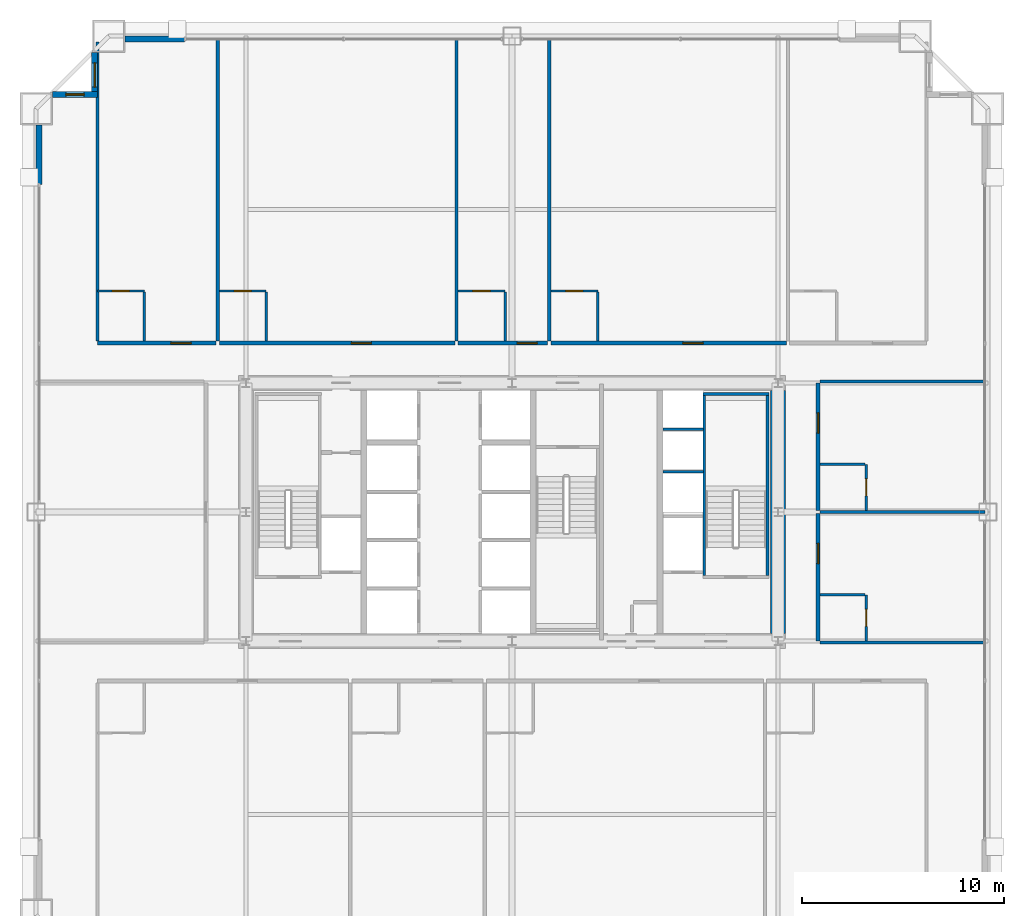
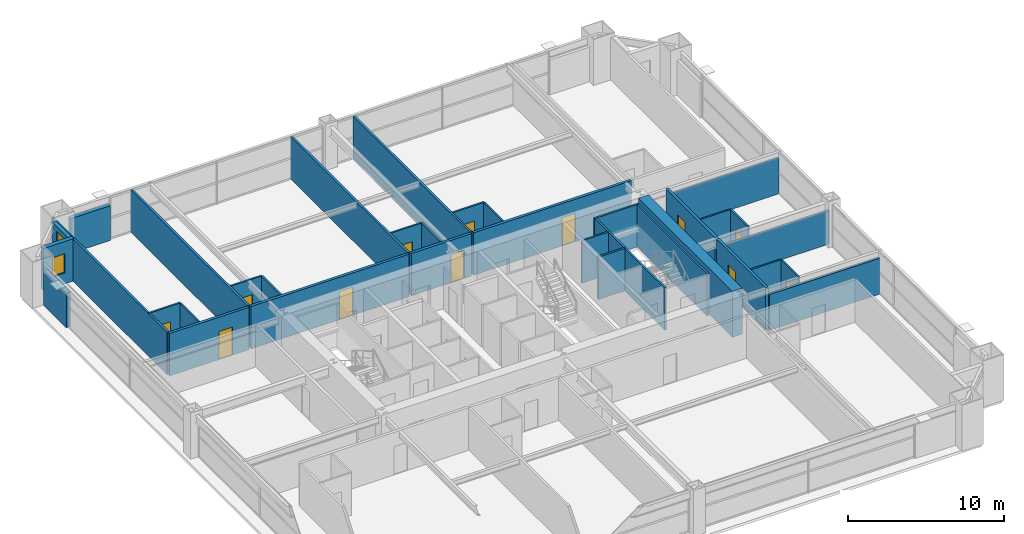
# One storey, part 36 of 38: 35 walls, 12 doors, 2 windows, 14 openings.
"""IFC4 building model written with IfcOpenShell, lengths in metres."""

from ifc_helpers import new_model, si_unit, direction, frame, frame_2d, origin, place, context, subcontext, project, spatial, rectangle, extrude, source, transform, mapped, material, layer, layer_set, type_object, element, fill, save


model = new_model("IFC4")

# Units and contexts
model_context = context("Model", 3, precision=1e-05, world=origin(), true_north=direction((0.0, 1.0)))
body_context = subcontext(model_context, "Body", "Model", "MODEL_VIEW")
ifc_project = project(units=[si_unit("LENGTHUNIT", "METRE"), si_unit("AREAUNIT", "SQUARE_METRE"), si_unit("VOLUMEUNIT", "CUBIC_METRE"), si_unit("PLANEANGLEUNIT", "RADIAN"), si_unit("MASSUNIT", "GRAM", prefix="KILO"), si_unit("THERMODYNAMICTEMPERATUREUNIT", "KELVIN"), si_unit("POWERUNIT", "WATT")], contexts=[model_context])

# Site, building, storey
site_placement = place(None, origin())
site = spatial("IfcSite", under=ifc_project, at=site_placement, CompositionType="ELEMENT")
building_placement = place(site_placement, origin())
building = spatial("IfcBuilding", under=site, at=building_placement, Name="Yuzanri Waterfront Tower", CompositionType="ELEMENT")
storey_placement = place(building_placement, frame((0.0, 0.0, 126.199951171875)))
storey = spatial("IfcBuildingStorey", under=building, at=storey_placement, Name="L33", CompositionType="ELEMENT", Elevation=126.199951171875)

# Wall, opening, door
ifc_material_1 = material(Name="Moisture-Resistant Gypsum Stud Wall", Category="gypsum")
ifc_layer_1 = layer(ifc_material_1, 0.1201171875)
ifc_layer_set_1 = layer_set([ifc_layer_1], Name="Moisture-Resistant Gypsum Stud Wall")
wall_type_1 = type_object("IfcWallType", Name="Bathroom and Kitchen Wet Partition 120", PredefinedType="PARTITIONING", material=ifc_layer_set_1)
wall_1_placement = place(storey_placement, frame((16.43994140625, 36.760009765625, 0.0), z_axis=(0.0, 0.0, 1.0), x_axis=(1.0, 0.0, 0.0)))
wall_1 = element("IfcWall", 1, at=wall_1_placement, inside=storey, type_object=wall_type_1, Name="L33 Partition UW-L33-N1-BN", PredefinedType="PARTITIONING", context=body_context, shape_type="SweptSolid", body=[
    extrude(rectangle(XDim=2.330078125, YDim=0.1201171875, at=frame_2d((1.1650390625, 0.0))), origin(), (0.0, 0.0, 1.0), 3.320068359375),
])
opening_1_placement = place(wall_1_placement, frame((0.739990234375, 0.0, 0.0)))
opening_1 = element("IfcOpeningElement", 2, at=opening_1_placement, cuts=wall_1, Name="Opening ID-0850", PredefinedType="OPENING", context=body_context, shape_type="SweptSolid", body=[
    extrude(rectangle(XDim=0.85009765625, YDim=2.10009765625, at=frame_2d((0.425048828125, 1.050048828125))), frame((0.0, 0.074951171875, 0.0), z_axis=(0.0, -1.0, 0.0), x_axis=(1.0, 0.0, 0.0)), (0.0, 0.0, 1.0), 0.14990234375),
])
ifc_material_2 = material(Name="Moisture-Resistant Lacquered Timber", Category="wood")
door_type_1 = type_object("IfcDoorType", Name="En-Suite Bathroom and Kitchen Swing Door 850x2100", OperationType="NOTDEFINED", PredefinedType="DOOR", material=ifc_material_2)
shared_shape_1 = source(origin(), body_context, "Body", "SweptSolid", [
    extrude(rectangle(XDim=0.85009765625, YDim=2.10009765625, at=frame_2d((0.425048828125, 1.050048828125))), frame((0.0, 0.02490234375, 0.0), z_axis=(0.0, -1.0, 0.0), x_axis=(1.0, 0.0, 0.0)), (0.0, 0.0, 1.0), 0.050048828125),
])
door_1_placement = place(opening_1_placement, origin())
door_1 = element("IfcDoor", 3, at=door_1_placement, inside=storey, type_object=door_type_1, Name="L33 Guest En-Suite Door", OperationType="SINGLE_SWING_LEFT", OverallHeight=2.10009765625, OverallWidth=0.85009765625, PredefinedType="DOOR", context=body_context, shape_type="MappedRepresentation", body=[
    mapped(shared_shape_1, transform((0.0, 0.0, 0.0), scale=1.0)),
])
fill(opening_1, door_1)

wall_2_placement = place(storey_placement, frame((22.48193359375, 36.760009765625, 0.0), z_axis=(0.0, 0.0, 1.0), x_axis=(1.0, 0.0, 0.0)))
wall_2 = element("IfcWall", 4, at=wall_2_placement, inside=storey, type_object=wall_type_1, Name="L33 Partition UW-L33-N2-BN", PredefinedType="PARTITIONING", context=body_context, shape_type="SweptSolid", body=[
    extrude(rectangle(XDim=2.330078125, YDim=0.1201171875, at=frame_2d((1.1650390625, 0.0))), origin(), (0.0, 0.0, 1.0), 3.320068359375),
])
opening_2_placement = place(wall_2_placement, frame((0.739990234375, 0.0, 0.0)))
opening_2 = element("IfcOpeningElement", 5, at=opening_2_placement, cuts=wall_2, Name="Opening ID-0850", PredefinedType="OPENING", context=body_context, shape_type="SweptSolid", body=[
    extrude(rectangle(XDim=0.85009765625, YDim=2.10009765625, at=frame_2d((0.425048828125, 1.050048828125))), frame((0.0, 0.074951171875, 0.0), z_axis=(0.0, -1.0, 0.0), x_axis=(1.0, 0.0, 0.0)), (0.0, 0.0, 1.0), 0.14990234375),
])
door_2_placement = place(opening_2_placement, origin())
door_2 = element("IfcDoor", 6, at=door_2_placement, inside=storey, type_object=door_type_1, Name="L33 Guest En-Suite Door", OperationType="SINGLE_SWING_LEFT", OverallHeight=2.10009765625, OverallWidth=0.85009765625, PredefinedType="DOOR", context=body_context, shape_type="MappedRepresentation", body=[
    mapped(shared_shape_1, transform((0.0, 0.0, 0.0), scale=1.0)),
])
fill(opening_2, door_2)

wall_3_placement = place(storey_placement, frame((34.324951171875, 36.760009765625, 0.0), z_axis=(0.0, 0.0, 1.0), x_axis=(1.0, 0.0, 0.0)))
wall_3 = element("IfcWall", 7, at=wall_3_placement, inside=storey, type_object=wall_type_1, Name="L33 Partition UW-L33-N3-BN", PredefinedType="PARTITIONING", context=body_context, shape_type="SweptSolid", body=[
    extrude(rectangle(XDim=2.330078125, YDim=0.1201171875, at=frame_2d((1.1650390625, 0.0))), origin(), (0.0, 0.0, 1.0), 3.320068359375),
])
opening_3_placement = place(wall_3_placement, frame((0.739990234375, 0.0, 0.0)))
opening_3 = element("IfcOpeningElement", 8, at=opening_3_placement, cuts=wall_3, Name="Opening ID-0850", PredefinedType="OPENING", context=body_context, shape_type="SweptSolid", body=[
    extrude(rectangle(XDim=0.85009765625, YDim=2.10009765625, at=frame_2d((0.425048828125, 1.050048828125))), frame((0.0, 0.074951171875, 0.0), z_axis=(0.0, -1.0, 0.0), x_axis=(1.0, 0.0, 0.0)), (0.0, 0.0, 1.0), 0.14990234375),
])
door_3_placement = place(opening_3_placement, origin())
door_3 = element("IfcDoor", 9, at=door_3_placement, inside=storey, type_object=door_type_1, Name="L33 Guest En-Suite Door", OperationType="SINGLE_SWING_LEFT", OverallHeight=2.10009765625, OverallWidth=0.85009765625, PredefinedType="DOOR", context=body_context, shape_type="MappedRepresentation", body=[
    mapped(shared_shape_1, transform((0.0, 0.0, 0.0), scale=1.0)),
])
fill(opening_3, door_3)

wall_4_placement = place(storey_placement, frame((38.929931640625, 36.760009765625, 0.0), z_axis=(0.0, 0.0, 1.0), x_axis=(1.0, 0.0, 0.0)))
wall_4 = element("IfcWall", 10, at=wall_4_placement, inside=storey, type_object=wall_type_1, Name="L33 Partition UW-L33-N4-BN", PredefinedType="PARTITIONING", context=body_context, shape_type="SweptSolid", body=[
    extrude(rectangle(XDim=2.330078125, YDim=0.1201171875, at=frame_2d((1.1650390625, 0.0))), origin(), (0.0, 0.0, 1.0), 3.320068359375),
])
opening_4_placement = place(wall_4_placement, frame((0.739990234375, 0.0, 0.0)))
opening_4 = element("IfcOpeningElement", 11, at=opening_4_placement, cuts=wall_4, Name="Opening ID-0850", PredefinedType="OPENING", context=body_context, shape_type="SweptSolid", body=[
    extrude(rectangle(XDim=0.85009765625, YDim=2.10009765625, at=frame_2d((0.425048828125, 1.050048828125))), frame((0.0, 0.074951171875, 0.0), z_axis=(0.0, -1.0, 0.0), x_axis=(1.0, 0.0, 0.0)), (0.0, 0.0, 1.0), 0.14990234375),
])
door_4_placement = place(opening_4_placement, origin())
door_4 = element("IfcDoor", 12, at=door_4_placement, inside=storey, type_object=door_type_1, Name="L33 Guest En-Suite Door", OperationType="SINGLE_SWING_LEFT", OverallHeight=2.10009765625, OverallWidth=0.85009765625, PredefinedType="DOOR", context=body_context, shape_type="MappedRepresentation", body=[
    mapped(shared_shape_1, transform((0.0, 0.0, 0.0), scale=1.0)),
])
fill(opening_4, door_4)

wall_5_placement = place(storey_placement, frame((54.56005859375, 19.409912109375, 0.0), z_axis=(0.0, 0.0, 1.0), x_axis=(0.0, 1.0, 0.0)))
wall_5 = element("IfcWall", 13, at=wall_5_placement, inside=storey, type_object=wall_type_1, Name="L33 Partition UW-L33-E1-BE2", PredefinedType="PARTITIONING", context=body_context, shape_type="SweptSolid", body=[
    extrude(rectangle(XDim=2.280029296875, YDim=0.1201171875, at=frame_2d((1.14013671875, 0.0))), origin(), (0.0, 0.0, 1.0), 3.320068359375),
])
opening_5_placement = place(wall_5_placement, frame((0.715087890625, 0.0, 0.0)))
opening_5 = element("IfcOpeningElement", 14, at=opening_5_placement, cuts=wall_5, Name="Opening ID-0850", PredefinedType="OPENING", context=body_context, shape_type="SweptSolid", body=[
    extrude(rectangle(XDim=0.85009765625, YDim=2.10009765625, at=frame_2d((0.425048828125, 1.050048828125))), frame((0.0, 0.074951171875, 0.0), z_axis=(0.0, -1.0, 0.0), x_axis=(1.0, 0.0, 0.0)), (0.0, 0.0, 1.0), 0.14990234375),
])
door_5_placement = place(opening_5_placement, origin())
door_5 = element("IfcDoor", 15, at=door_5_placement, inside=storey, type_object=door_type_1, Name="L33 Guest En-Suite Door", OperationType="SINGLE_SWING_RIGHT", OverallHeight=2.10009765625, OverallWidth=0.85009765625, PredefinedType="DOOR", context=body_context, shape_type="MappedRepresentation", body=[
    mapped(shared_shape_1, transform((0.0, 0.0, 0.0), scale=1.0)),
])
fill(opening_5, door_5)

wall_6_placement = place(storey_placement, frame((54.56005859375, 25.8798828125, 0.0), z_axis=(0.0, 0.0, 1.0), x_axis=(0.0, 1.0, 0.0)))
wall_6 = element("IfcWall", 16, at=wall_6_placement, inside=storey, type_object=wall_type_1, Name="L33 Partition UW-L33-E2-BE2", PredefinedType="PARTITIONING", context=body_context, shape_type="SweptSolid", body=[
    extrude(rectangle(XDim=2.280029296875, YDim=0.1201171875, at=frame_2d((1.14013671875, 0.0))), origin(), (0.0, 0.0, 1.0), 3.320068359375),
])
opening_6_placement = place(wall_6_placement, frame((0.715087890625, 0.0, 0.0)))
opening_6 = element("IfcOpeningElement", 17, at=opening_6_placement, cuts=wall_6, Name="Opening ID-0850", PredefinedType="OPENING", context=body_context, shape_type="SweptSolid", body=[
    extrude(rectangle(XDim=0.85009765625, YDim=2.10009765625, at=frame_2d((0.425048828125, 1.050048828125))), frame((0.0, 0.074951171875, 0.0), z_axis=(0.0, -1.0, 0.0), x_axis=(1.0, 0.0, 0.0)), (0.0, 0.0, 1.0), 0.14990234375),
])
door_6_placement = place(opening_6_placement, origin())
door_6 = element("IfcDoor", 18, at=door_6_placement, inside=storey, type_object=door_type_1, Name="L33 Guest En-Suite Door", OperationType="SINGLE_SWING_RIGHT", OverallHeight=2.10009765625, OverallWidth=0.85009765625, PredefinedType="DOOR", context=body_context, shape_type="MappedRepresentation", body=[
    mapped(shared_shape_1, transform((0.0, 0.0, 0.0), scale=1.0)),
])
fill(opening_6, door_6)

# Wall, opening, window
ifc_material_3 = material(Name="Honed Chongqing Dark Basalt Stone", Category="masonry")
ifc_layer_2 = layer(ifc_material_3, 0.300048828125)
ifc_layer_set_2 = layer_set([ifc_layer_2], Name="Honed Chongqing Dark Basalt Stone")
wall_type_2 = type_object("IfcWallType", Name="Bronze Rainscreen Insulated Spandrel Portal Wall 300", PredefinedType="SOLIDWALL", material=ifc_layer_set_2)
wall_7_placement = place(storey_placement, frame((16.449951171875, 46.5, 0.0), z_axis=(0.0, 0.0, 1.0), x_axis=(-1.0, 0.0, 0.0)))
wall_7 = element("IfcWall", 19, at=wall_7_placement, inside=storey, type_object=wall_type_2, Name="L33 Notched Corner Masonry Wall NW-X", PredefinedType="SOLIDWALL", context=body_context, shape_type="SweptSolid", body=[
    extrude(rectangle(XDim=2.25, YDim=0.300048828125, at=frame_2d((1.125, 0.0))), origin(), (0.0, 0.0, 1.0), 3.320068359375),
])
opening_7_placement = place(wall_7_placement, frame((0.675048828125, 0.0, 0.85009765625)))
opening_7 = element("IfcOpeningElement", 20, at=opening_7_placement, cuts=wall_7, Name="Opening WN-05", PredefinedType="OPENING", context=body_context, shape_type="SweptSolid", body=[
    extrude(rectangle(XDim=0.89990234375, YDim=1.5, at=frame_2d((0.449951171875, 0.75))), frame((0.0, 0.1650390625, 0.0), z_axis=(0.0, -1.0, 0.0), x_axis=(1.0, 0.0, 0.0)), (0.0, 0.0, 1.0), 0.329833984375),
])
ifc_material_4 = material(Name="Double-Silver Low-E Insulated Glass", Category="glass")
window_type_1 = type_object("IfcWindowType", Name="Anodized Bronze Service and Stairwell Smoke-Vent Window 900x1500", PartitioningType="SINGLE_PANEL", PredefinedType="WINDOW", material=ifc_material_4)
shared_shape_2 = source(origin(), body_context, "Body", "SweptSolid", [
    extrude(rectangle(XDim=0.89990234375, YDim=1.5, at=frame_2d((0.449951171875, 0.75))), frame((0.0, 0.030029296875, 0.0), z_axis=(0.0, -1.0, 0.0), x_axis=(1.0, 0.0, 0.0)), (0.0, 0.0, 1.0), 0.06005859375),
])
window_1_placement = place(opening_7_placement, origin())
window_1 = element("IfcWindow", 21, at=window_1_placement, inside=storey, type_object=window_type_1, Name="L33 Notched Corner Window NW-X", OverallHeight=1.5, OverallWidth=0.89990234375, PartitioningType="SINGLE_PANEL", PredefinedType="WINDOW", context=body_context, shape_type="MappedRepresentation", body=[
    mapped(shared_shape_2, transform((0.0, 0.0, 0.0), scale=1.0)),
])
fill(opening_7, window_1)

wall_8_placement = place(storey_placement, frame((16.300048828125, 48.60009765625, 0.0), z_axis=(0.0, 0.0, 1.0), x_axis=(0.0, -1.0, 0.0)))
wall_8 = element("IfcWall", 22, at=wall_8_placement, inside=storey, type_object=wall_type_2, Name="L33 Notched Corner Masonry Wall NW-Y", PredefinedType="SOLIDWALL", context=body_context, shape_type="SweptSolid", body=[
    extrude(rectangle(XDim=2.25, YDim=0.300048828125, at=frame_2d((1.125, 0.0))), origin(), (0.0, 0.0, 1.0), 3.320068359375),
])
opening_8_placement = place(wall_8_placement, frame((0.52490234375, 0.0, 0.85009765625)))
opening_8 = element("IfcOpeningElement", 23, at=opening_8_placement, cuts=wall_8, Name="Opening WN-02", PredefinedType="OPENING", context=body_context, shape_type="SweptSolid", body=[
    extrude(rectangle(XDim=1.199951171875, YDim=2.10009765625, at=frame_2d((0.60009765625, 1.050048828125))), frame((0.0, 0.1650390625, 0.0), z_axis=(0.0, -1.0, 0.0), x_axis=(1.0, 0.0, 0.0)), (0.0, 0.0, 1.0), 0.329833984375),
])
ifc_material_5 = material(Name="Double-Silver Low-E Insulated Glass", Category="glass")
window_type_2 = type_object("IfcWindowType", Name="Anodized Bronze Notched Corner Deep-Set Slot Window 1200x2100", PartitioningType="SINGLE_PANEL", PredefinedType="WINDOW", material=ifc_material_5)
shared_shape_3 = source(origin(), body_context, "Body", "SweptSolid", [
    extrude(rectangle(XDim=1.199951171875, YDim=2.10009765625, at=frame_2d((0.60009765625, 1.050048828125))), frame((0.0, 0.030029296875, 0.0), z_axis=(0.0, -1.0, 0.0), x_axis=(1.0, 0.0, 0.0)), (0.0, 0.0, 1.0), 0.06005859375),
])
window_2_placement = place(opening_8_placement, origin())
window_2 = element("IfcWindow", 24, at=window_2_placement, inside=storey, type_object=window_type_2, Name="L33 Notched Corner Window NW-Y", OverallHeight=2.10009765625, OverallWidth=1.199951171875, PartitioningType="SINGLE_PANEL", PredefinedType="WINDOW", context=body_context, shape_type="MappedRepresentation", body=[
    mapped(shared_shape_3, transform((0.0, 0.0, 0.0), scale=1.0)),
])
fill(opening_8, window_2)

# Wall, opening, door
ifc_material_6 = material(Name="Autoclaved Aerated Concrete Blockwork", Category="masonry")
ifc_layer_3 = layer(ifc_material_6, 0.199951171875)
ifc_layer_set_3 = layer_set([ifc_layer_3], Name="Autoclaved Aerated Concrete Blockwork")
wall_type_3 = type_object("IfcWallType", Name="Corridor and Unit Party Fire Wall 200", PredefinedType="PARTITIONING", material=ifc_layer_set_3)
wall_9_placement = place(storey_placement, frame((16.43994140625, 34.179931640625, 0.0), z_axis=(0.0, 0.0, 1.0), x_axis=(1.0, 0.0, 0.0)))
wall_9 = element("IfcWall", 25, at=wall_9_placement, inside=storey, type_object=wall_type_3, Name="L33 Partition UW-L33-N1-CS", PredefinedType="PARTITIONING", context=body_context, shape_type="SweptSolid", body=[
    extrude(rectangle(XDim=5.882080078125, YDim=0.199951171875, at=frame_2d((2.94091796875, 0.0))), origin(), (0.0, 0.0, 1.0), 3.320068359375),
])
opening_9_placement = place(wall_9_placement, frame((3.64599609375, 0.0, 0.0)))
opening_9 = element("IfcOpeningElement", 26, at=opening_9_placement, cuts=wall_9, Name="Opening FD-1000", PredefinedType="OPENING", context=body_context, shape_type="SweptSolid", body=[
    extrude(rectangle(XDim=1.0, YDim=2.199951171875, at=frame_2d((0.5, 1.10009765625))), frame((0.0, 0.11474609375, 0.0), z_axis=(0.0, -1.0, 0.0), x_axis=(1.0, 0.0, 0.0)), (0.0, 0.0, 1.0), 0.229736328125),
])
ifc_material_7 = material(Name="Engineered Oak Fire-Rated Timber", Category="wood")
door_type_2 = type_object("IfcDoorType", Name="Guestroom and Apartment Entrance Fire Door 1000x2200", OperationType="NOTDEFINED", PredefinedType="DOOR", material=ifc_material_7)
shared_shape_4 = source(origin(), body_context, "Body", "SweptSolid", [
    extrude(rectangle(XDim=1.0, YDim=2.199951171875, at=frame_2d((0.5, 1.10009765625))), frame((0.0, 0.02490234375, 0.0), z_axis=(0.0, -1.0, 0.0), x_axis=(1.0, 0.0, 0.0)), (0.0, 0.0, 1.0), 0.050048828125),
])
door_7_placement = place(opening_9_placement, origin())
door_7 = element("IfcDoor", 27, at=door_7_placement, inside=storey, type_object=door_type_2, Name="L33 Superior Twin Junior Suite Entrance Door", OperationType="SINGLE_SWING_RIGHT", OverallHeight=2.199951171875, OverallWidth=1.0, PredefinedType="DOOR", context=body_context, shape_type="MappedRepresentation", body=[
    mapped(shared_shape_4, transform((0.0, 0.0, 0.0), scale=1.0)),
])
fill(opening_9, door_7)

wall_10_placement = place(storey_placement, frame((22.48193359375, 34.179931640625, 0.0), z_axis=(0.0, 0.0, 1.0), x_axis=(1.0, 0.0, 0.0)))
wall_10 = element("IfcWall", 28, at=wall_10_placement, inside=storey, type_object=wall_type_3, Name="L33 Partition UW-L33-N2-CS", PredefinedType="PARTITIONING", context=body_context, shape_type="SweptSolid", body=[
    extrude(rectangle(XDim=11.68310546875, YDim=0.199951171875, at=frame_2d((5.841552734375, 0.0))), origin(), (0.0, 0.0, 1.0), 3.320068359375),
])
opening_10_placement = place(wall_10_placement, frame((6.547119140625, 0.0, 0.0)))
opening_10 = element("IfcOpeningElement", 29, at=opening_10_placement, cuts=wall_10, Name="Opening FD-1000", PredefinedType="OPENING", context=body_context, shape_type="SweptSolid", body=[
    extrude(rectangle(XDim=1.0, YDim=2.199951171875, at=frame_2d((0.5, 1.10009765625))), frame((0.0, 0.11474609375, 0.0), z_axis=(0.0, -1.0, 0.0), x_axis=(1.0, 0.0, 0.0)), (0.0, 0.0, 1.0), 0.229736328125),
])
door_8_placement = place(opening_10_placement, origin())
door_8 = element("IfcDoor", 30, at=door_8_placement, inside=storey, type_object=door_type_2, Name="L33 Superior Twin Junior Suite Entrance Door", OperationType="SINGLE_SWING_RIGHT", OverallHeight=2.199951171875, OverallWidth=1.0, PredefinedType="DOOR", context=body_context, shape_type="MappedRepresentation", body=[
    mapped(shared_shape_4, transform((0.0, 0.0, 0.0), scale=1.0)),
])
fill(opening_10, door_8)

wall_11_placement = place(storey_placement, frame((34.324951171875, 34.179931640625, 0.0), z_axis=(0.0, 0.0, 1.0), x_axis=(1.0, 0.0, 0.0)))
wall_11 = element("IfcWall", 31, at=wall_11_placement, inside=storey, type_object=wall_type_3, Name="L33 Partition UW-L33-N3-CS", PredefinedType="PARTITIONING", context=body_context, shape_type="SweptSolid", body=[
    extrude(rectangle(XDim=4.445068359375, YDim=0.199951171875, at=frame_2d((2.22265625, 0.0))), origin(), (0.0, 0.0, 1.0), 3.320068359375),
])
opening_11_placement = place(wall_11_placement, frame((2.927001953125, 0.0, 0.0)))
opening_11 = element("IfcOpeningElement", 32, at=opening_11_placement, cuts=wall_11, Name="Opening FD-1000", PredefinedType="OPENING", context=body_context, shape_type="SweptSolid", body=[
    extrude(rectangle(XDim=1.0, YDim=2.199951171875, at=frame_2d((0.5, 1.10009765625))), frame((0.0, 0.11474609375, 0.0), z_axis=(0.0, -1.0, 0.0), x_axis=(1.0, 0.0, 0.0)), (0.0, 0.0, 1.0), 0.229736328125),
])
door_9_placement = place(opening_11_placement, origin())
door_9 = element("IfcDoor", 33, at=door_9_placement, inside=storey, type_object=door_type_2, Name="L33 Superior Twin Guest Room Entrance Door", OperationType="SINGLE_SWING_RIGHT", OverallHeight=2.199951171875, OverallWidth=1.0, PredefinedType="DOOR", context=body_context, shape_type="MappedRepresentation", body=[
    mapped(shared_shape_4, transform((0.0, 0.0, 0.0), scale=1.0)),
])
fill(opening_11, door_9)

wall_12_placement = place(storey_placement, frame((38.929931640625, 34.179931640625, 0.0), z_axis=(0.0, 0.0, 1.0), x_axis=(1.0, 0.0, 0.0)))
wall_12 = element("IfcWall", 34, at=wall_12_placement, inside=storey, type_object=wall_type_3, Name="L33 Partition UW-L33-N4-CS", PredefinedType="PARTITIONING", context=body_context, shape_type="SweptSolid", body=[
    extrude(rectangle(XDim=11.68310546875, YDim=0.199951171875, at=frame_2d((5.841552734375, 0.0))), origin(), (0.0, 0.0, 1.0), 3.320068359375),
])
opening_12_placement = place(wall_12_placement, frame((6.547119140625, 0.0, 0.0)))
opening_12 = element("IfcOpeningElement", 35, at=opening_12_placement, cuts=wall_12, Name="Opening FD-1000", PredefinedType="OPENING", context=body_context, shape_type="SweptSolid", body=[
    extrude(rectangle(XDim=1.0, YDim=2.199951171875, at=frame_2d((0.5, 1.10009765625))), frame((0.0, 0.11474609375, 0.0), z_axis=(0.0, -1.0, 0.0), x_axis=(1.0, 0.0, 0.0)), (0.0, 0.0, 1.0), 0.229736328125),
])
door_10_placement = place(opening_12_placement, origin())
door_10 = element("IfcDoor", 36, at=door_10_placement, inside=storey, type_object=door_type_2, Name="L33 Superior Twin Junior Suite Entrance Door", OperationType="SINGLE_SWING_RIGHT", OverallHeight=2.199951171875, OverallWidth=1.0, PredefinedType="DOOR", context=body_context, shape_type="MappedRepresentation", body=[
    mapped(shared_shape_4, transform((0.0, 0.0, 0.0), scale=1.0)),
])
fill(opening_12, door_10)

wall_13_placement = place(storey_placement, frame((52.179931640625, 19.409912109375, 0.0), z_axis=(0.0, 0.0, 1.0), x_axis=(0.0, 1.0, 0.0)))
wall_13 = element("IfcWall", 37, at=wall_13_placement, inside=storey, type_object=wall_type_3, Name="L33 Partition UW-L33-E1-CW", PredefinedType="PARTITIONING", context=body_context, shape_type="SweptSolid", body=[
    extrude(rectangle(XDim=6.31005859375, YDim=0.199951171875, at=frame_2d((3.155029296875, 0.0))), origin(), (0.0, 0.0, 1.0), 3.320068359375),
])
opening_13_placement = place(wall_13_placement, frame((3.8349609375, 0.0, 0.0)))
opening_13 = element("IfcOpeningElement", 38, at=opening_13_placement, cuts=wall_13, Name="Opening FD-1000", PredefinedType="OPENING", context=body_context, shape_type="SweptSolid", body=[
    extrude(rectangle(XDim=1.0, YDim=2.199951171875, at=frame_2d((0.5, 1.10009765625))), frame((0.0, 0.11474609375, 0.0), z_axis=(0.0, -1.0, 0.0), x_axis=(1.0, 0.0, 0.0)), (0.0, 0.0, 1.0), 0.229736328125),
])
door_11_placement = place(opening_13_placement, origin())
door_11 = element("IfcDoor", 39, at=door_11_placement, inside=storey, type_object=door_type_2, Name="L33 East Executive Suite Entrance Door", OperationType="SINGLE_SWING_LEFT", OverallHeight=2.199951171875, OverallWidth=1.0, PredefinedType="DOOR", context=body_context, shape_type="MappedRepresentation", body=[
    mapped(shared_shape_4, transform((0.0, 0.0, 0.0), scale=1.0)),
])
fill(opening_13, door_11)

wall_14_placement = place(storey_placement, frame((52.179931640625, 25.8798828125, 0.0), z_axis=(0.0, 0.0, 1.0), x_axis=(0.0, 1.0, 0.0)))
wall_14 = element("IfcWall", 40, at=wall_14_placement, inside=storey, type_object=wall_type_3, Name="L33 Partition UW-L33-E2-CW", PredefinedType="PARTITIONING", context=body_context, shape_type="SweptSolid", body=[
    extrude(rectangle(XDim=6.31005859375, YDim=0.199951171875, at=frame_2d((3.155029296875, 0.0))), origin(), (0.0, 0.0, 1.0), 3.320068359375),
])
opening_14_placement = place(wall_14_placement, frame((3.8349609375, 0.0, 0.0)))
opening_14 = element("IfcOpeningElement", 41, at=opening_14_placement, cuts=wall_14, Name="Opening FD-1000", PredefinedType="OPENING", context=body_context, shape_type="SweptSolid", body=[
    extrude(rectangle(XDim=1.0, YDim=2.199951171875, at=frame_2d((0.5, 1.10009765625))), frame((0.0, 0.11474609375, 0.0), z_axis=(0.0, -1.0, 0.0), x_axis=(1.0, 0.0, 0.0)), (0.0, 0.0, 1.0), 0.229736328125),
])
door_12_placement = place(opening_14_placement, origin())
door_12 = element("IfcDoor", 42, at=door_12_placement, inside=storey, type_object=door_type_2, Name="L33 East Executive Suite Entrance Door", OperationType="SINGLE_SWING_LEFT", OverallHeight=2.199951171875, OverallWidth=1.0, PredefinedType="DOOR", context=body_context, shape_type="MappedRepresentation", body=[
    mapped(shared_shape_4, transform((0.0, 0.0, 0.0), scale=1.0)),
])
fill(opening_14, door_12)

# Walls
ifc_material_8 = material(Name="Concrete C55", Category="concrete")
ifc_layer_4 = layer(ifc_material_8, 0.75)
ifc_layer_set_4 = layer_set([ifc_layer_4], Name="Concrete C55")
wall_type_4 = type_object("IfcWallType", Name="Concrete C55 Low-Mid Zone Core Shear Wall 750", PredefinedType="SHEAR", material=ifc_layer_set_4)
shared_shape_5 = source(origin(), body_context, "Body", "SweptSolid", [
    extrude(rectangle(XDim=12.050048828125, YDim=0.75, at=frame_2d((6.02490234375, 0.0))), origin(), (0.0, 0.0, 1.0), 3.60009765625),
])
wall_15_placement = place(storey_placement, frame((50.199951171875, 19.77490234375, 0.0), z_axis=(0.0, 0.0, 1.0), x_axis=(0.0, 1.0, 0.0)))
element("IfcWall", 43, at=wall_15_placement, inside=storey, type_object=wall_type_4, Name="L33 Core East Shear Wall", PredefinedType="SHEAR", context=body_context, shape_type="MappedRepresentation", body=[
    mapped(shared_shape_5, transform((0.0, 0.0, 0.0), scale=1.0)),
])
shared_shape_6 = source(origin(), body_context, "Body", "SweptSolid", [
    extrude(rectangle(XDim=2.949951171875, YDim=0.300048828125, at=frame_2d((1.47509765625, 0.0))), origin(), (0.0, 0.0, 1.0), 2.715087890625),
])
for number, where, z_axis, x_axis, name in (
    (44, (17.800048828125, 49.25, 0.0), (0.0, 0.0, 1.0), (1.0, 0.0, 0.0), "L33 N Left Braced Masonry Shoulder"),
    (45, (13.550048828125, 42.050048828125, 0.0), (0.0, 0.0, 1.0), (0.0, 1.0, 0.0), "L33 W Right Braced Masonry Shoulder"),
):
    element("IfcWall", number, at=place(storey_placement, frame(where, z_axis=z_axis, x_axis=x_axis)), inside=storey, type_object=wall_type_2, Name=name, PredefinedType="SOLIDWALL", context=body_context, shape_type="MappedRepresentation", body=[
        mapped(shared_shape_6, transform((0.0, 0.0, 0.0), scale=1.0)),
    ])
ifc_material_9 = material(Name="Concrete C40", Category="concrete")
ifc_layer_5 = layer(ifc_material_9, 0.139892578125)
ifc_layer_set_5 = layer_set([ifc_layer_5], Name="Concrete C40")
wall_type_5 = type_object("IfcWallType", Name="Core Stair Liner and Hoistway Shaft Wall 140", PredefinedType="SOLIDWALL", material=ifc_layer_set_5)
shared_shape_7 = source(origin(), body_context, "Body", "SweptSolid", [
    extrude(rectangle(XDim=2.0, YDim=0.139892578125, at=frame_2d((1.0, 0.0))), origin(), (0.0, 0.0, 1.0), 3.320068359375),
])
for number, where, z_axis, x_axis, name in (
    (46, (44.5, 27.800048828125, 0.0), (0.0, 0.0, 1.0), (1.0, 0.0, 0.0), "L33 Lift PL-09 Divider Wall"),
    (47, (44.5, 29.89990234375, 0.0), (0.0, 0.0, 1.0), (1.0, 0.0, 0.0), "L33 Lift PL-10 Divider Wall"),
):
    element("IfcWall", number, at=place(storey_placement, frame(where, z_axis=z_axis, x_axis=x_axis)), inside=storey, type_object=wall_type_5, Name=name, PredefinedType="SOLIDWALL", context=body_context, shape_type="MappedRepresentation", body=[
        mapped(shared_shape_7, transform((0.0, 0.0, 0.0), scale=1.0)),
    ])
shared_shape_8 = source(origin(), body_context, "Body", "SweptSolid", [
    extrude(rectangle(XDim=3.280029296875, YDim=0.139892578125, at=frame_2d((1.64013671875, 0.0))), origin(), (0.0, 0.0, 1.0), 3.320068359375),
])
wall_16_placement = place(storey_placement, frame((46.4599609375, 31.64990234375, 0.0), z_axis=(0.0, 0.0, 1.0), x_axis=(1.0, 0.0, 0.0)))
element("IfcWall", 48, at=wall_16_placement, inside=storey, type_object=wall_type_5, Name="L33 Stair ST-02 North Shaft Wall", PredefinedType="SOLIDWALL", context=body_context, shape_type="MappedRepresentation", body=[
    mapped(shared_shape_8, transform((0.0, 0.0, 0.0), scale=1.0)),
])
shared_shape_9 = source(origin(), body_context, "Body", "SweptSolid", [
    extrude(rectangle(XDim=8.940185546875, YDim=0.139892578125, at=frame_2d((4.47021484375, 0.0))), origin(), (0.0, 0.0, 1.0), 3.320068359375),
])
for number, where, z_axis, x_axis, name in (
    (49, (46.530029296875, 22.639892578125, 0.0), (0.0, 0.0, 1.0), (0.0, 1.0, 0.0), "L33 Stair ST-02 West Shaft Wall"),
    (50, (49.669921875, 22.639892578125, 0.0), (0.0, 0.0, 1.0), (0.0, 1.0, 0.0), "L33 Stair ST-02 East Shaft Wall"),
):
    element("IfcWall", number, at=place(storey_placement, frame(where, z_axis=z_axis, x_axis=x_axis)), inside=storey, type_object=wall_type_5, Name=name, PredefinedType="SOLIDWALL", context=body_context, shape_type="MappedRepresentation", body=[
        mapped(shared_shape_9, transform((0.0, 0.0, 0.0), scale=1.0)),
    ])
shared_shape_10 = source(origin(), body_context, "Body", "SweptSolid", [
    extrude(rectangle(XDim=2.419921875, YDim=0.1201171875, at=frame_2d((1.2099609375, 0.0))), origin(), (0.0, 0.0, 1.0), 3.320068359375),
])
for number, where, z_axis, x_axis, name in (
    (51, (18.77001953125, 34.280029296875, 0.0), (0.0, 0.0, 1.0), (0.0, 1.0, 0.0), "L33-N1 En-Suite Side Wall"),
    (52, (24.81201171875, 34.280029296875, 0.0), (0.0, 0.0, 1.0), (0.0, 1.0, 0.0), "L33-N2 En-Suite Side Wall"),
    (53, (36.655029296875, 34.280029296875, 0.0), (0.0, 0.0, 1.0), (0.0, 1.0, 0.0), "L33-N3 En-Suite Side Wall"),
    (54, (41.260009765625, 34.280029296875, 0.0), (0.0, 0.0, 1.0), (0.0, 1.0, 0.0), "L33-N4 En-Suite Side Wall"),
):
    element("IfcWall", number, at=place(storey_placement, frame(where, z_axis=z_axis, x_axis=x_axis)), inside=storey, type_object=wall_type_1, Name=name, PredefinedType="PARTITIONING", context=body_context, shape_type="MappedRepresentation", body=[
        mapped(shared_shape_10, transform((0.0, 0.0, 0.0), scale=1.0)),
    ])
shared_shape_11 = source(origin(), body_context, "Body", "SweptSolid", [
    extrude(rectangle(XDim=2.219970703125, YDim=0.1201171875, at=frame_2d((1.10986328125, 0.0))), origin(), (0.0, 0.0, 1.0), 3.320068359375),
])
for number, where, z_axis, x_axis, name in (
    (55, (52.280029296875, 21.68994140625, 0.0), (0.0, 0.0, 1.0), (1.0, 0.0, 0.0), "L33-E1 En-Suite Top Wall"),
    (56, (52.280029296875, 28.159912109375, 0.0), (0.0, 0.0, 1.0), (1.0, 0.0, 0.0), "L33-E2 En-Suite Top Wall"),
):
    element("IfcWall", number, at=place(storey_placement, frame(where, z_axis=z_axis, x_axis=x_axis)), inside=storey, type_object=wall_type_1, Name=name, PredefinedType="PARTITIONING", context=body_context, shape_type="MappedRepresentation", body=[
        mapped(shared_shape_11, transform((0.0, 0.0, 0.0), scale=1.0)),
    ])
ifc_material_10 = material(Name="Gypsum Fireboard Acoustic Stud Wall", Category="gypsum")
ifc_layer_6 = layer(ifc_material_10, 0.159912109375)
ifc_layer_set_6 = layer_set([ifc_layer_6], Name="Gypsum Fireboard Acoustic Stud Wall")
wall_type_6 = type_object("IfcWallType", Name="Acoustic Suite Demising Partition 160", PredefinedType="PARTITIONING", material=ifc_layer_set_6)
shared_shape_12 = source(origin(), body_context, "Body", "SweptSolid", [
    extrude(rectangle(XDim=14.969970703125, YDim=0.159912109375, at=frame_2d((7.48486328125, 0.0))), origin(), (0.0, 0.0, 1.0), 3.320068359375),
])
for number, where, z_axis, x_axis, name in (
    (57, (22.402099609375, 34.280029296875, 0.0), (0.0, 0.0, 1.0), (0.0, 1.0, 0.0), "L33-N1 Party Wall"),
    (58, (34.2451171875, 34.280029296875, 0.0), (0.0, 0.0, 1.0), (0.0, 1.0, 0.0), "L33-N2 Party Wall"),
    (59, (38.85009765625, 34.280029296875, 0.0), (0.0, 0.0, 1.0), (0.0, 1.0, 0.0), "L33-N3 Party Wall"),
):
    element("IfcWall", number, at=place(storey_placement, frame(where, z_axis=z_axis, x_axis=x_axis)), inside=storey, type_object=wall_type_6, Name=name, PredefinedType="PARTITIONING", context=body_context, shape_type="MappedRepresentation", body=[
        mapped(shared_shape_12, transform((0.0, 0.0, 0.0), scale=1.0)),
    ])
shared_shape_13 = source(origin(), body_context, "Body", "SweptSolid", [
    extrude(rectangle(XDim=14.820068359375, YDim=0.159912109375, at=frame_2d((7.41015625, 0.0))), origin(), (0.0, 0.0, 1.0), 3.320068359375),
])
wall_17_placement = place(storey_placement, frame((16.449951171875, 34.280029296875, 0.0), z_axis=(0.0, 0.0, 1.0), x_axis=(0.0, 1.0, 0.0)))
element("IfcWall", 60, at=wall_17_placement, inside=storey, type_object=wall_type_6, Name="L33 North Band West End Wall", PredefinedType="PARTITIONING", context=body_context, shape_type="MappedRepresentation", body=[
    mapped(shared_shape_13, transform((0.0, 0.0, 0.0), scale=1.0)),
])
shared_shape_14 = source(origin(), body_context, "Body", "SweptSolid", [
    extrude(rectangle(XDim=8.169921875, YDim=0.159912109375, at=frame_2d((4.0849609375, 0.0))), origin(), (0.0, 0.0, 1.0), 2.81494140625),
])
for number, where, z_axis, x_axis, name in (
    (61, (52.280029296875, 19.330078125, 0.0), (0.0, 0.0, 1.0), (1.0, 0.0, 0.0), "L33-E1 Wing South End Wall"),
    (62, (52.280029296875, 32.27001953125, 0.0), (0.0, 0.0, 1.0), (1.0, 0.0, 0.0), "L33-E2 Wing North End Wall"),
):
    element("IfcWall", number, at=place(storey_placement, frame(where, z_axis=z_axis, x_axis=x_axis)), inside=storey, type_object=wall_type_6, Name=name, PredefinedType="PARTITIONING", context=body_context, shape_type="MappedRepresentation", body=[
        mapped(shared_shape_14, transform((0.0, 0.0, 0.0), scale=1.0)),
    ])
shared_shape_15 = source(origin(), body_context, "Body", "SweptSolid", [
    extrude(rectangle(XDim=8.169921875, YDim=0.159912109375, at=frame_2d((4.0849609375, 0.0))), origin(), (0.0, 0.0, 1.0), 2.614990234375),
])
wall_18_placement = place(storey_placement, frame((52.280029296875, 25.800048828125, 0.0), z_axis=(0.0, 0.0, 1.0), x_axis=(1.0, 0.0, 0.0)))
element("IfcWall", 63, at=wall_18_placement, inside=storey, type_object=wall_type_6, Name="L33-E1 Wing Party Wall", PredefinedType="PARTITIONING", context=body_context, shape_type="MappedRepresentation", body=[
    mapped(shared_shape_15, transform((0.0, 0.0, 0.0), scale=1.0)),
])

save(model, "model.ifc")
